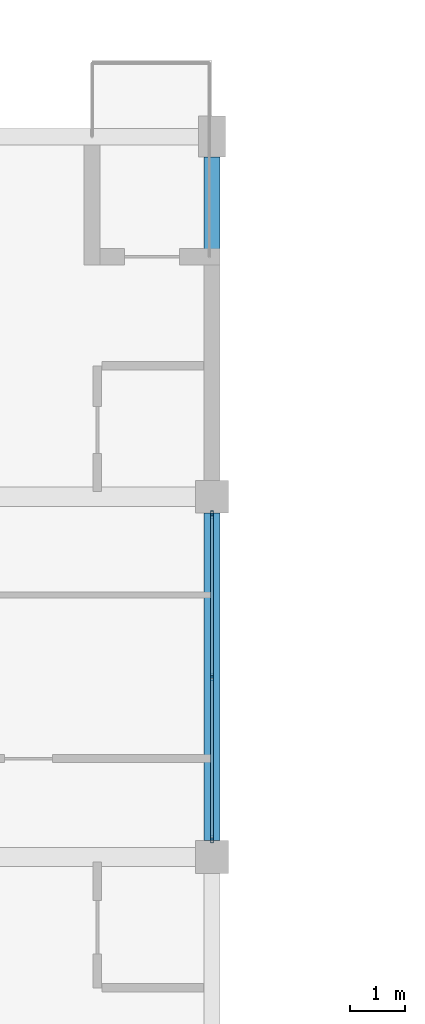
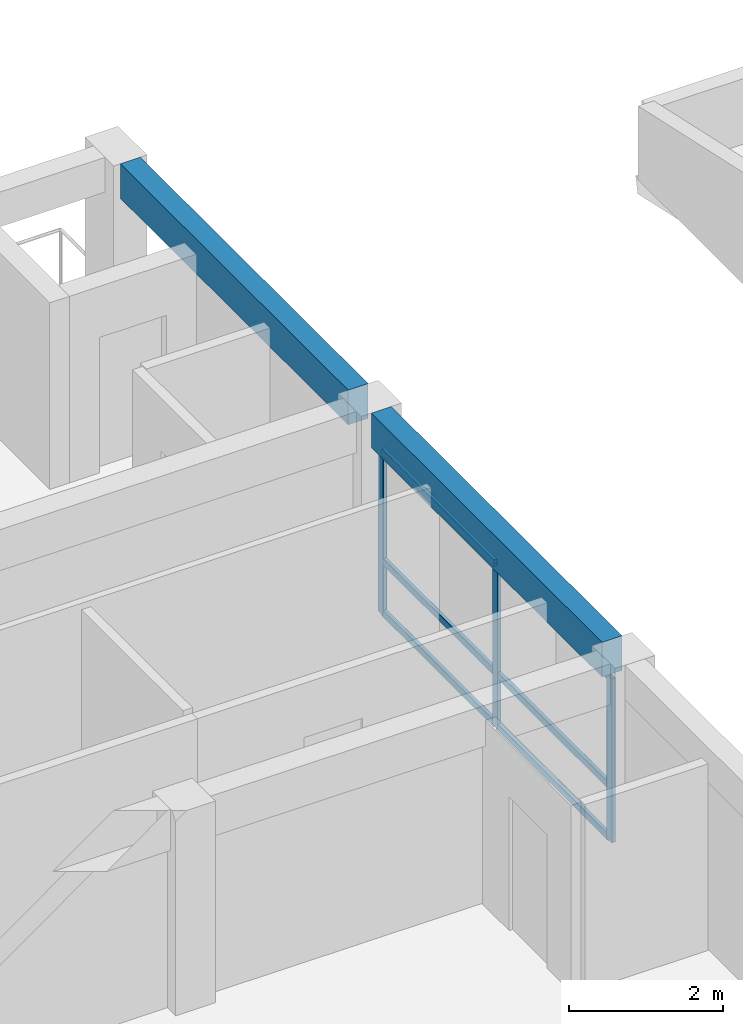
# One storey, part 17 of 51: 9 members, 2 beams, 1 element without a shape of its own.
"""IFC4 building model written with IfcOpenShell, lengths in metres."""

from ifc_helpers import new_model, si_unit, direction, frame, origin, origin_2d, place, context, subcontext, project, spatial, rectangle, hollow_rectangle, extrude, material, material_profile, profile_set, type_object, element, aggregate, save


model = new_model("IFC4")

# Units and contexts
model_context = context("Model", 3, precision=1e-05, world=origin(), true_north=direction((0.0, 1.0)))
body_context = subcontext(model_context, "Body", "Model", "MODEL_VIEW")
ifc_project = project(units=[si_unit("LENGTHUNIT", "METRE"), si_unit("AREAUNIT", "SQUARE_METRE"), si_unit("VOLUMEUNIT", "CUBIC_METRE"), si_unit("PLANEANGLEUNIT", "RADIAN"), si_unit("MASSUNIT", "GRAM", prefix="KILO")], contexts=[model_context])

# Site, building, storey
site_placement = place(None, origin())
site = spatial("IfcSite", under=ifc_project, at=site_placement, CompositionType="ELEMENT")
building_placement = place(site_placement, origin())
building = spatial("IfcBuilding", under=site, at=building_placement, Name="Kernevlak Ridge Housing Community", CompositionType="ELEMENT")
storey_placement = place(building_placement, frame((0.0, 0.0, 8.39990234375)))
storey = spatial("IfcBuildingStorey", under=building, at=storey_placement, Name="L02", CompositionType="ELEMENT", Elevation=8.39990234375)

# Curtain wall, members
ifc_material_1 = material(Name="Aluminium EN AW-6060 anodised and laminated glass", Category="aluminium")
curtain_wall_type = type_object("IfcCurtainWallType", Name="CW-12", PredefinedType="NOTDEFINED", material=ifc_material_1)
curtain_wall_placement = place(storey_placement, origin())
curtain_wall = element("IfcCurtainWall", 1, at=curtain_wall_placement, inside=storey, type_object=curtain_wall_type, Name="Curtain wall CW-12 CW-L02-009", PredefinedType="NOTDEFINED")
ifc_material_2 = material(Name="Aluminium EN AW-6060 anodised", Category="aluminium")
ifc_material_profile_1 = material_profile(ifc_material_2, hollow_rectangle(XDim=0.054931640625, YDim=0.139892578125, WallThickness=0.00390625, InnerFilletRadius=0.001953125, OuterFilletRadius=0.00390625, at=origin_2d()), Name="ALU 55x140x4")
ifc_profile_set_1 = profile_set([ifc_material_profile_1], Name="Aluminium EN AW-6060 anodised")
member_type_1 = type_object("IfcMemberType", Name="MU-01", PredefinedType="MULLION", material=ifc_profile_set_1)
member_1_placement = place(storey_placement, frame((48.60009765625, 82.927490234375, 0.0), z_axis=(0.0, 0.0, 1.0), x_axis=(-1.0, 0.0, 0.0)))
member_1 = element("IfcMember", 2, at=member_1_placement, type_object=member_type_1, Name="CW-12 mullion 1", PredefinedType="MULLION", context=body_context, shape_type="SweptSolid", body=[
    extrude(hollow_rectangle(XDim=0.054931640625, YDim=0.139892578125, WallThickness=0.00390625, InnerFilletRadius=0.001953125, OuterFilletRadius=0.00390625, at=origin_2d()), origin(), (0.0, 0.0, 1.0), 2.60009765625),
])
member_2_placement = place(storey_placement, frame((48.60009765625, 85.89990234375, 0.0), z_axis=(0.0, 0.0, 1.0), x_axis=(-1.0, 0.0, 0.0)))
member_2 = element("IfcMember", 3, at=member_2_placement, type_object=member_type_1, Name="CW-12 mullion 2", PredefinedType="MULLION", context=body_context, shape_type="SweptSolid", body=[
    extrude(hollow_rectangle(XDim=0.054931640625, YDim=0.139892578125, WallThickness=0.00390625, InnerFilletRadius=0.001953125, OuterFilletRadius=0.00390625, at=origin_2d()), origin(), (0.0, 0.0, 1.0), 2.60009765625),
])
member_3_placement = place(storey_placement, frame((48.60009765625, 88.87255859375, 0.0), z_axis=(0.0, 0.0, 1.0), x_axis=(-1.0, 0.0, 0.0)))
member_3 = element("IfcMember", 4, at=member_3_placement, type_object=member_type_1, Name="CW-12 mullion 3", PredefinedType="MULLION", context=body_context, shape_type="SweptSolid", body=[
    extrude(hollow_rectangle(XDim=0.054931640625, YDim=0.139892578125, WallThickness=0.00390625, InnerFilletRadius=0.001953125, OuterFilletRadius=0.00390625, at=origin_2d()), origin(), (0.0, 0.0, 1.0), 2.60009765625),
])

# Beams
ifc_material_3 = material(Name="Concrete C35/45", Category="concrete")
ifc_material_profile_2 = material_profile(ifc_material_3, rectangle(XDim=0.300048828125, YDim=0.550048828125, at=origin_2d()), Name="RC 300x550")
ifc_profile_set_2 = profile_set([ifc_material_profile_2], Name="Concrete C35/45")
beam_type = type_object("IfcBeamType", Name="SP-01", PredefinedType="SPANDREL", material=ifc_profile_set_2)
beam_1_placement = place(storey_placement, frame((48.60009765625, 82.89990234375, 2.925048828125), z_axis=(0.0, 1.0, 0.0), x_axis=(-1.0, 0.0, 0.0)))
element("IfcBeam", 5, at=beam_1_placement, inside=storey, type_object=beam_type, Name="Beam SP-01 L02 133", PredefinedType="SPANDREL", context=body_context, shape_type="SweptSolid", body=[
    extrude(rectangle(XDim=0.300048828125, YDim=0.550048828125, at=origin_2d()), origin(), (0.0, 0.0, 1.0), 6.0),
])
beam_2_placement = place(storey_placement, frame((48.60009765625, 89.5, 2.925048828125), z_axis=(0.0, 1.0, 0.0), x_axis=(-1.0, 0.0, 0.0)))
element("IfcBeam", 6, at=beam_2_placement, inside=storey, type_object=beam_type, Name="Beam SP-01 L02 134", PredefinedType="SPANDREL", context=body_context, shape_type="SweptSolid", body=[
    extrude(rectangle(XDim=0.300048828125, YDim=0.550048828125, at=origin_2d()), origin(), (0.0, 0.0, 1.0), 5.925048828125),
])

# Member
ifc_material_profile_3 = material_profile(ifc_material_2, hollow_rectangle(XDim=0.054931640625, YDim=0.110107421875, WallThickness=0.00390625, InnerFilletRadius=0.001953125, OuterFilletRadius=0.00390625, at=origin_2d()), Name="ALU 55x110x4")
ifc_profile_set_3 = profile_set([ifc_material_profile_3], Name="Aluminium EN AW-6060 anodised")
member_type_2 = type_object("IfcMemberType", Name="TM-01", PredefinedType="USERDEFINED", material=ifc_profile_set_3)
member_4_placement = place(storey_placement, frame((48.60009765625, 82.955078125, 0.027587890625), z_axis=(0.0, 1.0, 0.0), x_axis=(-1.0, 0.0, 0.0)))
member_4 = element("IfcMember", 7, at=member_4_placement, type_object=member_type_2, Name="CW-12 transom 1.1", ObjectType="TRANSOM", PredefinedType="USERDEFINED", context=body_context, shape_type="SweptSolid", body=[
    extrude(hollow_rectangle(XDim=0.054931640625, YDim=0.110107421875, WallThickness=0.00390625, InnerFilletRadius=0.001953125, OuterFilletRadius=0.00390625, at=origin_2d()), origin(), (0.0, 0.0, 1.0), 2.91748046875),
])

member_5_placement = place(storey_placement, frame((48.60009765625, 82.955078125, 0.85009765625), z_axis=(0.0, 1.0, 0.0), x_axis=(-1.0, 0.0, 0.0)))
member_5 = element("IfcMember", 8, at=member_5_placement, type_object=member_type_2, Name="CW-12 transom 1.2", ObjectType="TRANSOM", PredefinedType="USERDEFINED", context=body_context, shape_type="SweptSolid", body=[
    extrude(hollow_rectangle(XDim=0.054931640625, YDim=0.110107421875, WallThickness=0.00390625, InnerFilletRadius=0.001953125, OuterFilletRadius=0.00390625, at=origin_2d()), origin(), (0.0, 0.0, 1.0), 2.91748046875),
])

member_6_placement = place(storey_placement, frame((48.60009765625, 82.955078125, 2.572509765625), z_axis=(0.0, 1.0, 0.0), x_axis=(-1.0, 0.0, 0.0)))
member_6 = element("IfcMember", 9, at=member_6_placement, type_object=member_type_2, Name="CW-12 transom 1.3", ObjectType="TRANSOM", PredefinedType="USERDEFINED", context=body_context, shape_type="SweptSolid", body=[
    extrude(hollow_rectangle(XDim=0.054931640625, YDim=0.110107421875, WallThickness=0.00390625, InnerFilletRadius=0.001953125, OuterFilletRadius=0.00390625, at=origin_2d()), origin(), (0.0, 0.0, 1.0), 2.91748046875),
])

member_7_placement = place(storey_placement, frame((48.60009765625, 85.927490234375, 0.027587890625), z_axis=(0.0, 1.0, 0.0), x_axis=(-1.0, 0.0, 0.0)))
member_7 = element("IfcMember", 10, at=member_7_placement, type_object=member_type_2, Name="CW-12 transom 2.1", ObjectType="TRANSOM", PredefinedType="USERDEFINED", context=body_context, shape_type="SweptSolid", body=[
    extrude(hollow_rectangle(XDim=0.054931640625, YDim=0.110107421875, WallThickness=0.00390625, InnerFilletRadius=0.001953125, OuterFilletRadius=0.00390625, at=origin_2d()), origin(), (0.0, 0.0, 1.0), 2.91748046875),
])

member_8_placement = place(storey_placement, frame((48.60009765625, 85.927490234375, 0.85009765625), z_axis=(0.0, 1.0, 0.0), x_axis=(-1.0, 0.0, 0.0)))
member_8 = element("IfcMember", 11, at=member_8_placement, type_object=member_type_2, Name="CW-12 transom 2.2", ObjectType="TRANSOM", PredefinedType="USERDEFINED", context=body_context, shape_type="SweptSolid", body=[
    extrude(hollow_rectangle(XDim=0.054931640625, YDim=0.110107421875, WallThickness=0.00390625, InnerFilletRadius=0.001953125, OuterFilletRadius=0.00390625, at=origin_2d()), origin(), (0.0, 0.0, 1.0), 2.91748046875),
])

member_9_placement = place(storey_placement, frame((48.60009765625, 85.927490234375, 2.572509765625), z_axis=(0.0, 1.0, 0.0), x_axis=(-1.0, 0.0, 0.0)))
member_9 = element("IfcMember", 12, at=member_9_placement, type_object=member_type_2, Name="CW-12 transom 2.3", ObjectType="TRANSOM", PredefinedType="USERDEFINED", context=body_context, shape_type="SweptSolid", body=[
    extrude(hollow_rectangle(XDim=0.054931640625, YDim=0.110107421875, WallThickness=0.00390625, InnerFilletRadius=0.001953125, OuterFilletRadius=0.00390625, at=origin_2d()), origin(), (0.0, 0.0, 1.0), 2.91748046875),
])

aggregate(curtain_wall, [member_1, member_2, member_3, member_4, member_5, member_6, member_7, member_8, member_9])

save(model, "model.ifc")
